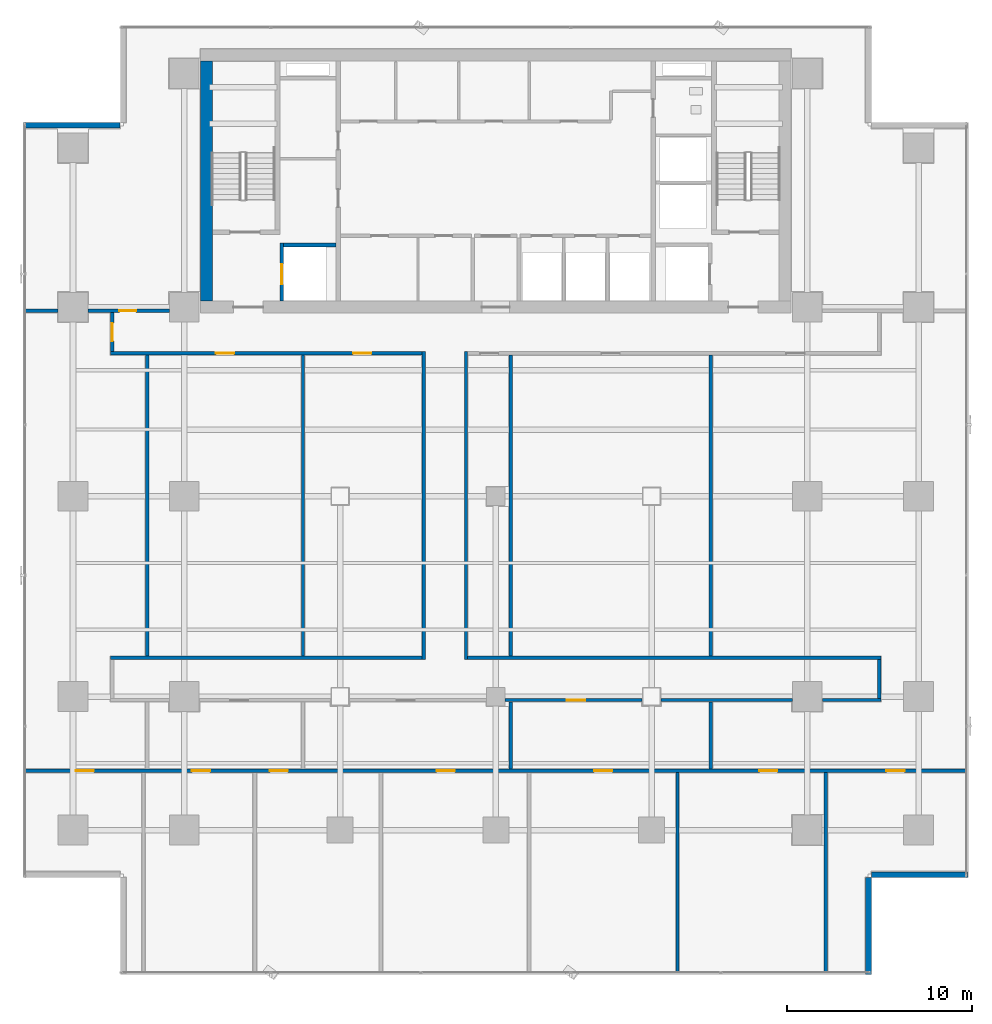
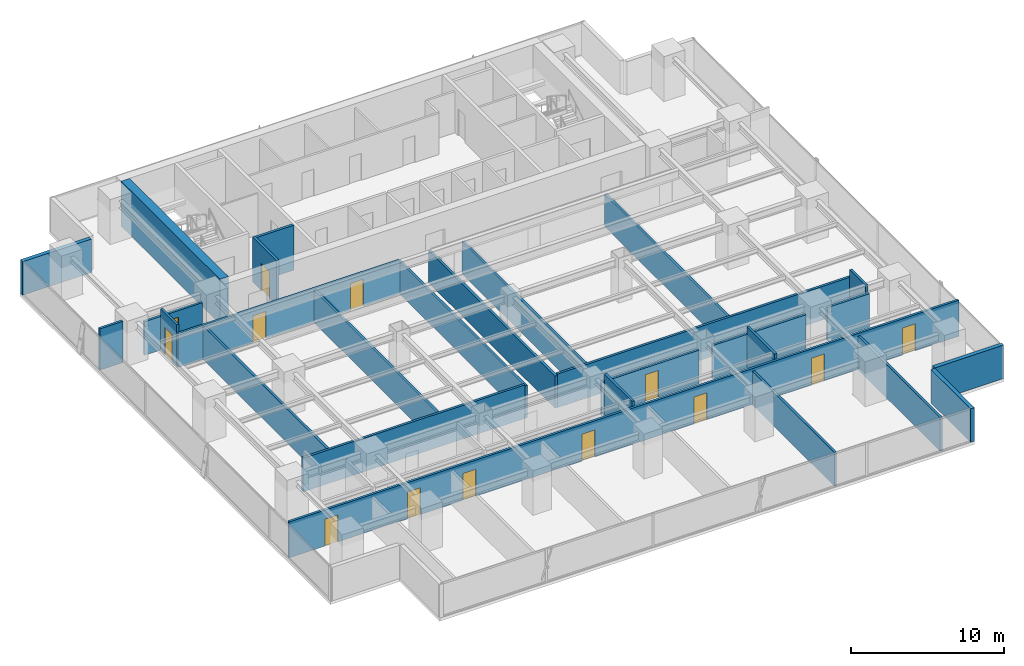
# One storey, part 28 of 36: 27 walls, 13 doors, 13 openings.
"""IFC4 building model written with IfcOpenShell, lengths in metres."""

from ifc_helpers import new_model, si_unit, direction, frame, frame_2d, origin, place, context, subcontext, project, spatial, rectangle, extrude, source, transform, mapped, material, layer, layer_set, type_object, element, fill, save


model = new_model("IFC4")

# Units and contexts
model_context = context("Model", 3, precision=1e-05, world=origin(), true_north=direction((0.0, 1.0)))
body_context = subcontext(model_context, "Body", "Model", "MODEL_VIEW")
ifc_project = project(units=[si_unit("LENGTHUNIT", "METRE"), si_unit("AREAUNIT", "SQUARE_METRE"), si_unit("VOLUMEUNIT", "CUBIC_METRE"), si_unit("PLANEANGLEUNIT", "RADIAN"), si_unit("MASSUNIT", "GRAM", prefix="KILO")], contexts=[model_context])

# Site, building, storey
site_placement = place(None, origin())
site = spatial("IfcSite", under=ifc_project, at=site_placement, CompositionType="ELEMENT")
building_placement = place(site_placement, origin())
building = spatial("IfcBuilding", under=site, at=building_placement, Name="Sumidabori Civic Tower", CompositionType="ELEMENT")
storey_placement = place(building_placement, frame((0.0, 0.0, 120.800048828125)))
storey = spatial("IfcBuildingStorey", under=building, at=storey_placement, Name="L31", CompositionType="ELEMENT", Elevation=120.800048828125)

# Walls
ifc_material_1 = material(Name="Concrete C50/60", Category="concrete")
ifc_layer_1 = layer(ifc_material_1, 0.199951171875, Name="Concrete C50/60")
ifc_layer_set_1 = layer_set([ifc_layer_1], Name="Concrete C50/60")
wall_type_1 = type_object("IfcWallType", Name="WL-SHAFT-200", PredefinedType="SHEAR", material=ifc_layer_set_1)
shared_shape_1 = source(origin(), body_context, "Body", "SweptSolid", [
    extrude(rectangle(XDim=2.824951171875, YDim=0.199951171875, at=frame_2d((1.41259765625, 0.0))), origin(), (0.0, 0.0, 1.0), 3.599853515625),
])
wall_1_placement = place(storey_placement, frame((-11.449951171875, 13.550048828125, 0.0), z_axis=(0.0, 0.0, 1.0), x_axis=(1.0, 0.0, 0.0)))
element("IfcWall", 1, at=wall_1_placement, inside=storey, type_object=wall_type_1, Name="Core Shear Wall L31 EL1-N", PredefinedType="SHEAR", context=body_context, shape_type="MappedRepresentation", body=[
    mapped(shared_shape_1, transform((0.0, 0.0, 0.0), x_axis=(1.0, 0.0, 0.0), y_axis=(0.0, 1.0, 0.0), z_axis=(0.0, 0.0, 1.0), scale=1.0)),
])
ifc_material_2 = material(Name="Concrete C60/75", Category="concrete")
ifc_layer_2 = layer(ifc_material_2, 0.64990234375, Name="Concrete C60/75")
ifc_layer_set_2 = layer_set([ifc_layer_2], Name="Concrete C60/75")
wall_type_2 = type_object("IfcWallType", Name="WL-CORE-650", PredefinedType="SHEAR", material=ifc_layer_set_2)
shared_shape_2 = source(origin(), body_context, "Body", "SweptSolid", [
    extrude(rectangle(XDim=12.9501953125, YDim=0.64990234375, at=frame_2d((6.47509765625, 0.0))), origin(), (0.0, 0.0, 1.0), 3.599853515625),
])
wall_2_placement = place(storey_placement, frame((-15.60009765625, 10.52490234375, 0.0), z_axis=(0.0, 0.0, 1.0), x_axis=(0.0, 1.0, 0.0)))
element("IfcWall", 2, at=wall_2_placement, inside=storey, type_object=wall_type_2, Name="Core Shear Wall L31 W", PredefinedType="SHEAR", context=body_context, shape_type="MappedRepresentation", body=[
    mapped(shared_shape_2, transform((0.0, 0.0, 0.0), x_axis=(1.0, 0.0, 0.0), y_axis=(0.0, 1.0, 0.0), z_axis=(0.0, 0.0, 1.0), scale=1.0)),
])

# Wall, opening, door
shared_shape_3 = source(origin(), body_context, "Body", "SweptSolid", [
    extrude(rectangle(XDim=3.125, YDim=0.199951171875, at=frame_2d((1.5625, 0.0))), origin(), (0.0, 0.0, 1.0), 3.599853515625),
])
wall_3_placement = place(storey_placement, frame((-11.550048828125, 10.52490234375, 0.0), z_axis=(0.0, 0.0, 1.0), x_axis=(0.0, 1.0, 0.0)))
wall_3 = element("IfcWall", 3, at=wall_3_placement, inside=storey, type_object=wall_type_1, Name="Core Shear Wall L31 EL1-W", PredefinedType="SHEAR", context=body_context, shape_type="MappedRepresentation", body=[
    mapped(shared_shape_3, transform((0.0, 0.0, 0.0), x_axis=(1.0, 0.0, 0.0), y_axis=(0.0, 1.0, 0.0), z_axis=(0.0, 0.0, 1.0), scale=1.0)),
])
opening_1_placement = place(wall_3_placement, frame((0.89990234375, 0.0, 0.0)))
opening_1 = element("IfcOpeningElement", 4, at=opening_1_placement, cuts=wall_3, Name="Opening LD-2", PredefinedType="OPENING", context=body_context, shape_type="SweptSolid", body=[
    extrude(rectangle(XDim=1.10009765625, YDim=2.14990234375, at=frame_2d((0.550048828125, 1.074951171875))), frame((0.0, 0.11181640625, 0.0), z_axis=(0.0, -1.0, 0.0), x_axis=(1.0, 0.0, 0.0)), (0.0, 0.0, 1.0), 0.223876953125),
])
ifc_material_3 = material(Name="Stainless Steel Hairline Finish", Category="steel")
door_type_1 = type_object("IfcDoorType", Name="DR-LD2", OperationType="DOUBLE_DOOR_SLIDING", PredefinedType="DOOR", material=ifc_material_3)
shared_shape_4 = source(origin(), body_context, "Body", "SweptSolid", [
    extrude(rectangle(XDim=1.10009765625, YDim=2.14990234375, at=frame_2d((0.550048828125, 1.074951171875))), frame((0.0, 0.02490234375, 0.0), z_axis=(0.0, -1.0, 0.0), x_axis=(1.0, 0.0, 0.0)), (0.0, 0.0, 1.0), 0.050048828125),
])
door_1_placement = place(opening_1_placement, origin())
door_1 = element("IfcDoor", 5, at=door_1_placement, inside=storey, type_object=door_type_1, Name="Door DR:L31:LD-EL1", OperationType="DOUBLE_DOOR_SLIDING", OverallHeight=2.14990234375, OverallWidth=1.10009765625, PredefinedType="DOOR", context=body_context, shape_type="MappedRepresentation", body=[
    mapped(shared_shape_4, transform((0.0, 0.0, 0.0), x_axis=(1.0, 0.0, 0.0), y_axis=(0.0, 1.0, 0.0), z_axis=(0.0, 0.0, 1.0), scale=1.0)),
])
fill(opening_1, door_1)

# Walls
ifc_material_4 = material(Name="Precast concrete C40/50", Category="concrete")
ifc_layer_3 = layer(ifc_material_4, 0.300048828125, Name="Precast concrete C40/50")
ifc_layer_set_3 = layer_set([ifc_layer_3], Name="Precast concrete C40/50")
wall_type_3 = type_object("IfcWallType", Name="WL-EXT-POD300", PredefinedType="STANDARD", material=ifc_layer_set_3)
shared_shape_5 = source(origin(), body_context, "Body", "SweptSolid", [
    extrude(rectangle(XDim=5.2099609375, YDim=0.300048828125, at=frame_2d((2.60498046875, 0.0))), origin(), (0.0, 0.0, 1.0), 2.679931640625),
])
for number, where, z_axis, x_axis, name in (
    (6, (20.10009765625, -25.780029296875, 0.0), (0.0, 0.0, 1.0), (0.0, 1.0, 0.0), "Notched Corner Spandrel Band L31-02"),
    (7, (20.27001953125, -20.39990234375, 0.0), (0.0, 0.0, 1.0), (1.0, 0.0, 0.0), "Notched Corner Spandrel Band L31-03"),
    (8, (-20.27001953125, 20.0, 0.0), (0.0, 0.0, 1.0), (-1.0, 0.0, 0.0), "Notched Corner Spandrel Band L31-09"),
):
    element("IfcWall", number, at=place(storey_placement, frame(where, z_axis=z_axis, x_axis=x_axis)), inside=storey, type_object=wall_type_3, Name=name, PredefinedType="STANDARD", context=body_context, shape_type="MappedRepresentation", body=[
        mapped(shared_shape_5, transform((0.0, 0.0, 0.0), x_axis=(1.0, 0.0, 0.0), y_axis=(0.0, 1.0, 0.0), z_axis=(0.0, 0.0, 1.0), scale=1.0)),
    ])
ifc_material_5 = material(Name="Gypsum Plasterboard Acoustic Partition")
ifc_layer_4 = layer(ifc_material_5, 0.179931640625, Name="Gypsum Plasterboard Acoustic Partition")
ifc_layer_set_4 = layer_set([ifc_layer_4], Name="Gypsum Plasterboard Acoustic Partition")
wall_type_4 = type_object("IfcWallType", Name="WL-PART-180", PredefinedType="PARTITIONING", material=ifc_layer_set_4)
shared_shape_6 = source(origin(), body_context, "Body", "SweptSolid", [
    extrude(rectangle(XDim=1.739990234375, YDim=0.179931640625, at=frame_2d((0.8701171875, 0.0))), origin(), (0.0, 0.0, 1.0), 3.300048828125),
])
wall_4_placement = place(storey_placement, frame((-25.35009765625, 10.0, 0.0), z_axis=(0.0, 0.0, 1.0), x_axis=(1.0, 0.0, 0.0)))
element("IfcWall", 9, at=wall_4_placement, inside=storey, type_object=wall_type_4, Name="Interior Partition WL:L31:FLK-NW-1", PredefinedType="PARTITIONING", context=body_context, shape_type="MappedRepresentation", body=[
    mapped(shared_shape_6, transform((0.0, 0.0, 0.0), x_axis=(1.0, 0.0, 0.0), y_axis=(0.0, 1.0, 0.0), z_axis=(0.0, 0.0, 1.0), scale=1.0)),
])

# Wall, opening, door
shared_shape_7 = source(origin(), body_context, "Body", "SweptSolid", [
    extrude(rectangle(XDim=4.3798828125, YDim=0.179931640625, at=frame_2d((2.18994140625, 0.0))), origin(), (0.0, 0.0, 1.0), 2.68505859375),
])
wall_5_placement = place(storey_placement, frame((-21.989990234375, 10.0, 0.0), z_axis=(0.0, 0.0, 1.0), x_axis=(1.0, 0.0, 0.0)))
wall_5 = element("IfcWall", 10, at=wall_5_placement, inside=storey, type_object=wall_type_4, Name="Interior Partition WL:L31:FLK-NW-2", PredefinedType="PARTITIONING", context=body_context, shape_type="MappedRepresentation", body=[
    mapped(shared_shape_7, transform((0.0, 0.0, 0.0), x_axis=(1.0, 0.0, 0.0), y_axis=(0.0, 1.0, 0.0), z_axis=(0.0, 0.0, 1.0), scale=1.0)),
])
opening_2_placement = place(wall_5_placement, frame((1.695068359375, 0.0, 0.0)))
opening_2 = element("IfcOpeningElement", 11, at=opening_2_placement, cuts=wall_5, Name="Opening DR-1", PredefinedType="OPENING", context=body_context, shape_type="SweptSolid", body=[
    extrude(rectangle(XDim=0.89990234375, YDim=2.14990234375, at=frame_2d((0.449951171875, 1.074951171875))), frame((0.0, 0.10205078125, 0.0), z_axis=(0.0, -1.0, 0.0), x_axis=(1.0, 0.0, 0.0)), (0.0, 0.0, 1.0), 0.203857421875),
])
ifc_material_6 = material(Name="Japanese Hinoki Timber", Category="wood")
door_type_2 = type_object("IfcDoorType", Name="DR-INT-900", OperationType="NOTDEFINED", PredefinedType="DOOR", material=ifc_material_6)
shared_shape_8 = source(origin(), body_context, "Body", "SweptSolid", [
    extrude(rectangle(XDim=0.89990234375, YDim=2.14990234375, at=frame_2d((0.449951171875, 1.074951171875))), frame((0.0, 0.02490234375, 0.0), z_axis=(0.0, -1.0, 0.0), x_axis=(1.0, 0.0, 0.0)), (0.0, 0.0, 1.0), 0.050048828125),
])
door_2_placement = place(opening_2_placement, origin())
door_2 = element("IfcDoor", 12, at=door_2_placement, inside=storey, type_object=door_type_2, Name="Door DR:L31:FLK-NW", OperationType="SINGLE_SWING_LEFT", OverallHeight=2.14990234375, OverallWidth=0.89990234375, PredefinedType="DOOR", context=body_context, shape_type="MappedRepresentation", body=[
    mapped(shared_shape_8, transform((0.0, 0.0, 0.0), x_axis=(1.0, 0.0, 0.0), y_axis=(0.0, 1.0, 0.0), z_axis=(0.0, 0.0, 1.0), scale=1.0)),
])
fill(opening_2, door_2)

# Wall, openings, doors
shared_shape_9 = source(origin(), body_context, "Body", "SweptSolid", [
    extrude(rectangle(XDim=16.800048828125, YDim=0.179931640625, at=frame_2d((8.39990234375, 0.0))), origin(), (0.0, 0.0, 1.0), 2.68505859375),
])
wall_6_placement = place(storey_placement, frame((-20.780029296875, 7.7099609375, 0.0), z_axis=(0.0, 0.0, 1.0), x_axis=(1.0, 0.0, 0.0)))
wall_6 = element("IfcWall", 13, at=wall_6_placement, inside=storey, type_object=wall_type_4, Name="Interior Partition WL:L31:CORR-SW", PredefinedType="PARTITIONING", context=body_context, shape_type="MappedRepresentation", body=[
    mapped(shared_shape_9, transform((0.0, 0.0, 0.0), x_axis=(1.0, 0.0, 0.0), y_axis=(0.0, 1.0, 0.0), z_axis=(0.0, 0.0, 1.0), scale=1.0)),
])
opening_3_placement = place(wall_6_placement, frame((5.68994140625, 0.0, 0.0)))
opening_3 = element("IfcOpeningElement", 14, at=opening_3_placement, cuts=wall_6, Name="Opening DR-3", PredefinedType="OPENING", context=body_context, shape_type="SweptSolid", body=[
    extrude(rectangle(XDim=0.97998046875, YDim=2.14990234375, at=frame_2d((0.489990234375, 1.074951171875))), frame((0.0, 0.10205078125, 0.0), z_axis=(0.0, -1.0, 0.0), x_axis=(1.0, 0.0, 0.0)), (0.0, 0.0, 1.0), 0.203857421875),
])
opening_4_placement = place(wall_6_placement, frame((13.0849609375, 0.0, 0.0)))
opening_4 = element("IfcOpeningElement", 15, at=opening_4_placement, cuts=wall_6, Name="Opening DR-3", PredefinedType="OPENING", context=body_context, shape_type="SweptSolid", body=[
    extrude(rectangle(XDim=0.97998046875, YDim=2.14990234375, at=frame_2d((0.489990234375, 1.074951171875))), frame((0.0, 0.10205078125, 0.0), z_axis=(0.0, -1.0, 0.0), x_axis=(1.0, 0.0, 0.0)), (0.0, 0.0, 1.0), 0.203857421875),
])
door_type_3 = type_object("IfcDoorType", Name="DR-INT-980", OperationType="NOTDEFINED", PredefinedType="DOOR", material=ifc_material_6)
shared_shape_10 = source(origin(), body_context, "Body", "SweptSolid", [
    extrude(rectangle(XDim=0.97998046875, YDim=2.14990234375, at=frame_2d((0.489990234375, 1.074951171875))), frame((0.0, 0.02490234375, 0.0), z_axis=(0.0, -1.0, 0.0), x_axis=(1.0, 0.0, 0.0)), (0.0, 0.0, 1.0), 0.050048828125),
])
door_3_placement = place(opening_3_placement, origin())
door_3 = element("IfcDoor", 16, at=door_3_placement, inside=storey, type_object=door_type_3, Name="Door DR:L31:D02", OperationType="SINGLE_SWING_RIGHT", OverallHeight=2.14990234375, OverallWidth=0.97998046875, PredefinedType="DOOR", context=body_context, shape_type="MappedRepresentation", body=[
    mapped(shared_shape_10, transform((0.0, 0.0, 0.0), x_axis=(1.0, 0.0, 0.0), y_axis=(0.0, 1.0, 0.0), z_axis=(0.0, 0.0, 1.0), scale=1.0)),
])
fill(opening_3, door_3)
door_4_placement = place(opening_4_placement, origin())
door_4 = element("IfcDoor", 17, at=door_4_placement, inside=storey, type_object=door_type_3, Name="Door DR:L31:D03", OperationType="SINGLE_SWING_LEFT", OverallHeight=2.14990234375, OverallWidth=0.97998046875, PredefinedType="DOOR", context=body_context, shape_type="MappedRepresentation", body=[
    mapped(shared_shape_10, transform((0.0, 0.0, 0.0), x_axis=(1.0, 0.0, 0.0), y_axis=(0.0, 1.0, 0.0), z_axis=(0.0, 0.0, 1.0), scale=1.0)),
])
fill(opening_4, door_4)

# Walls
wall_7_placement = place(storey_placement, frame((-20.780029296875, -8.7099609375, 0.0), z_axis=(0.0, 0.0, 1.0), x_axis=(1.0, 0.0, 0.0)))
element("IfcWall", 18, at=wall_7_placement, inside=storey, type_object=wall_type_4, Name="Interior Partition WL:L31:CORR-MNW", PredefinedType="PARTITIONING", context=body_context, shape_type="MappedRepresentation", body=[
    mapped(shared_shape_9, transform((0.0, 0.0, 0.0), x_axis=(1.0, 0.0, 0.0), y_axis=(0.0, 1.0, 0.0), z_axis=(0.0, 0.0, 1.0), scale=1.0)),
])
shared_shape_11 = source(origin(), body_context, "Body", "SweptSolid", [
    extrude(rectangle(XDim=22.300048828125, YDim=0.179931640625, at=frame_2d((11.14990234375, 0.0))), origin(), (0.0, 0.0, 1.0), 2.68505859375),
])
wall_8_placement = place(storey_placement, frame((-1.52001953125, -8.7099609375, 0.0), z_axis=(0.0, 0.0, 1.0), x_axis=(1.0, 0.0, 0.0)))
element("IfcWall", 19, at=wall_8_placement, inside=storey, type_object=wall_type_4, Name="Interior Partition WL:L31:CORR-MNE", PredefinedType="PARTITIONING", context=body_context, shape_type="MappedRepresentation", body=[
    mapped(shared_shape_11, transform((0.0, 0.0, 0.0), x_axis=(1.0, 0.0, 0.0), y_axis=(0.0, 1.0, 0.0), z_axis=(0.0, 0.0, 1.0), scale=1.0)),
])
shared_shape_12 = source(origin(), body_context, "Body", "SweptSolid", [
    extrude(rectangle(XDim=3.169921875, YDim=0.179931640625, at=frame_2d((1.5849609375, 0.0))), origin(), (0.0, 0.0, 1.0), 2.68505859375),
])
wall_9_placement = place(storey_placement, frame((17.610107421875, -10.989990234375, 0.0), z_axis=(0.0, 0.0, 1.0), x_axis=(1.0, 0.0, 0.0)))
element("IfcWall", 20, at=wall_9_placement, inside=storey, type_object=wall_type_4, Name="Interior Partition WL:L31:CORR-SS-6", PredefinedType="PARTITIONING", context=body_context, shape_type="MappedRepresentation", body=[
    mapped(shared_shape_12, transform((0.0, 0.0, 0.0), x_axis=(1.0, 0.0, 0.0), y_axis=(0.0, 1.0, 0.0), z_axis=(0.0, 0.0, 1.0), scale=1.0)),
])
shared_shape_13 = source(origin(), body_context, "Body", "SweptSolid", [
    extrude(rectangle(XDim=7.080078125, YDim=0.179931640625, at=frame_2d((3.5400390625, 0.0))), origin(), (0.0, 0.0, 1.0), 2.68505859375),
])
wall_10_placement = place(storey_placement, frame((8.909912109375, -10.989990234375, 0.0), z_axis=(0.0, 0.0, 1.0), x_axis=(1.0, 0.0, 0.0)))
element("IfcWall", 21, at=wall_10_placement, inside=storey, type_object=wall_type_4, Name="Interior Partition WL:L31:CORR-SS-5", PredefinedType="PARTITIONING", context=body_context, shape_type="MappedRepresentation", body=[
    mapped(shared_shape_13, transform((0.0, 0.0, 0.0), x_axis=(1.0, 0.0, 0.0), y_axis=(0.0, 1.0, 0.0), z_axis=(0.0, 0.0, 1.0), scale=1.0)),
])

# Wall, opening, door
shared_shape_14 = source(origin(), body_context, "Body", "SweptSolid", [
    extrude(rectangle(XDim=7.3798828125, YDim=0.179931640625, at=frame_2d((3.68994140625, 0.0))), origin(), (0.0, 0.0, 1.0), 2.68505859375),
])
wall_11_placement = place(storey_placement, frame((0.510009765625, -10.989990234375, 0.0), z_axis=(0.0, 0.0, 1.0), x_axis=(1.0, 0.0, 0.0)))
wall_11 = element("IfcWall", 22, at=wall_11_placement, inside=storey, type_object=wall_type_4, Name="Interior Partition WL:L31:CORR-SS-4", PredefinedType="PARTITIONING", context=body_context, shape_type="MappedRepresentation", body=[
    mapped(shared_shape_14, transform((0.0, 0.0, 0.0), x_axis=(1.0, 0.0, 0.0), y_axis=(0.0, 1.0, 0.0), z_axis=(0.0, 0.0, 1.0), scale=1.0)),
])
opening_5_placement = place(wall_11_placement, frame((3.330078125, 0.0, 0.0)))
opening_5 = element("IfcOpeningElement", 23, at=opening_5_placement, cuts=wall_11, Name="Opening DR-3", PredefinedType="OPENING", context=body_context, shape_type="SweptSolid", body=[
    extrude(rectangle(XDim=0.97998046875, YDim=2.14990234375, at=frame_2d((0.489990234375, 1.074951171875))), frame((0.0, 0.10205078125, 0.0), z_axis=(0.0, -1.0, 0.0), x_axis=(1.0, 0.0, 0.0)), (0.0, 0.0, 1.0), 0.203857421875),
])
door_5_placement = place(opening_5_placement, origin())
door_5 = element("IfcDoor", 24, at=door_5_placement, inside=storey, type_object=door_type_3, Name="Door DR:L31:D10", OperationType="SINGLE_SWING_RIGHT", OverallHeight=2.14990234375, OverallWidth=0.97998046875, PredefinedType="DOOR", context=body_context, shape_type="MappedRepresentation", body=[
    mapped(shared_shape_10, transform((0.0, 0.0, 0.0), x_axis=(1.0, 0.0, 0.0), y_axis=(0.0, 1.0, 0.0), z_axis=(0.0, 0.0, 1.0), scale=1.0)),
])
fill(opening_5, door_5)

shared_shape_15 = source(origin(), body_context, "Body", "SweptSolid", [
    extrude(rectangle(XDim=2.10009765625, YDim=0.179931640625, at=frame_2d((1.050048828125, 0.0))), origin(), (0.0, 0.0, 1.0), 3.300048828125),
])
wall_12_placement = place(storey_placement, frame((-20.68994140625, 7.804931640625, 0.0), z_axis=(0.0, 0.0, 1.0), x_axis=(0.0, 1.0, 0.0)))
wall_12 = element("IfcWall", 25, at=wall_12_placement, inside=storey, type_object=wall_type_4, Name="Interior Partition WL:L31:CORR-VNW", PredefinedType="PARTITIONING", context=body_context, shape_type="MappedRepresentation", body=[
    mapped(shared_shape_15, transform((0.0, 0.0, 0.0), x_axis=(1.0, 0.0, 0.0), y_axis=(0.0, 1.0, 0.0), z_axis=(0.0, 0.0, 1.0), scale=1.0)),
])
opening_6_placement = place(wall_12_placement, frame((0.56005859375, 0.0, 0.0)))
opening_6 = element("IfcOpeningElement", 26, at=opening_6_placement, cuts=wall_12, Name="Opening DR-3", PredefinedType="OPENING", context=body_context, shape_type="SweptSolid", body=[
    extrude(rectangle(XDim=0.97998046875, YDim=2.14990234375, at=frame_2d((0.489990234375, 1.074951171875))), frame((0.0, 0.10205078125, 0.0), z_axis=(0.0, -1.0, 0.0), x_axis=(1.0, 0.0, 0.0)), (0.0, 0.0, 1.0), 0.203857421875),
])
door_6_placement = place(opening_6_placement, origin())
door_6 = element("IfcDoor", 27, at=door_6_placement, inside=storey, type_object=door_type_3, Name="Door DR:L31:D06", OperationType="SINGLE_SWING_RIGHT", OverallHeight=2.14990234375, OverallWidth=0.97998046875, PredefinedType="DOOR", context=body_context, shape_type="MappedRepresentation", body=[
    mapped(shared_shape_10, transform((0.0, 0.0, 0.0), x_axis=(1.0, 0.0, 0.0), y_axis=(0.0, 1.0, 0.0), z_axis=(0.0, 0.0, 1.0), scale=1.0)),
])
fill(opening_6, door_6)

# Walls
shared_shape_16 = source(origin(), body_context, "Body", "SweptSolid", [
    extrude(rectangle(XDim=16.60009765625, YDim=0.179931640625, at=frame_2d((8.300048828125, 0.0))), origin(), (0.0, 0.0, 1.0), 2.5849609375),
])
for number, where, z_axis, x_axis, name in (
    (28, (-3.889892578125, -8.800048828125, 0.0), (0.0, 0.0, 1.0), (0.0, 1.0, 0.0), "Interior Partition WL:L31:CORR-VSP-W"),
    (29, (-1.610107421875, -8.800048828125, 0.0), (0.0, 0.0, 1.0), (0.0, 1.0, 0.0), "Interior Partition WL:L31:CORR-VSP-E"),
):
    element("IfcWall", number, at=place(storey_placement, frame(where, z_axis=z_axis, x_axis=x_axis)), inside=storey, type_object=wall_type_4, Name=name, PredefinedType="PARTITIONING", context=body_context, shape_type="MappedRepresentation", body=[
        mapped(shared_shape_16, transform((0.0, 0.0, 0.0), x_axis=(1.0, 0.0, 0.0), y_axis=(0.0, 1.0, 0.0), z_axis=(0.0, 0.0, 1.0), scale=1.0)),
    ])
shared_shape_17 = source(origin(), body_context, "Body", "SweptSolid", [
    extrude(rectangle(XDim=2.090087890625, YDim=0.179931640625, at=frame_2d((1.044921875, 0.0))), origin(), (0.0, 0.0, 1.0), 3.300048828125),
])
wall_13_placement = place(storey_placement, frame((20.68994140625, -10.89501953125, 0.0), z_axis=(0.0, 0.0, 1.0), x_axis=(0.0, 1.0, 0.0)))
element("IfcWall", 30, at=wall_13_placement, inside=storey, type_object=wall_type_4, Name="Interior Partition WL:L31:CORR-VSE", PredefinedType="PARTITIONING", context=body_context, shape_type="MappedRepresentation", body=[
    mapped(shared_shape_17, transform((0.0, 0.0, 0.0), x_axis=(1.0, 0.0, 0.0), y_axis=(0.0, 1.0, 0.0), z_axis=(0.0, 0.0, 1.0), scale=1.0)),
])

# Wall, openings, doors
shared_shape_18 = source(origin(), body_context, "Body", "SweptSolid", [
    extrude(rectangle(XDim=50.7001953125, YDim=0.179931640625, at=frame_2d((25.35009765625, 0.0))), origin(), (0.0, 0.0, 1.0), 2.885009765625),
])
wall_14_placement = place(storey_placement, frame((-25.35009765625, -14.800048828125, 0.0), z_axis=(0.0, 0.0, 1.0), x_axis=(1.0, 0.0, 0.0)))
wall_14 = element("IfcWall", 31, at=wall_14_placement, inside=storey, type_object=wall_type_4, Name="Interior Partition WL:L31:BAND-Y", PredefinedType="PARTITIONING", context=body_context, shape_type="MappedRepresentation", body=[
    mapped(shared_shape_18, transform((0.0, 0.0, 0.0), x_axis=(1.0, 0.0, 0.0), y_axis=(0.0, 1.0, 0.0), z_axis=(0.0, 0.0, 1.0), scale=1.0)),
])
opening_7_placement = place(wall_14_placement, frame((2.699951171875, 0.0, 0.0)))
opening_7 = element("IfcOpeningElement", 32, at=opening_7_placement, cuts=wall_14, Name="Opening DR-3", PredefinedType="OPENING", context=body_context, shape_type="SweptSolid", body=[
    extrude(rectangle(XDim=0.97998046875, YDim=2.14990234375, at=frame_2d((0.489990234375, 1.074951171875))), frame((0.0, 0.10205078125, 0.0), z_axis=(0.0, -1.0, 0.0), x_axis=(1.0, 0.0, 0.0)), (0.0, 0.0, 1.0), 0.203857421875),
])
opening_8_placement = place(wall_14_placement, frame((46.419921875, 0.0, 0.0)))
opening_8 = element("IfcOpeningElement", 33, at=opening_8_placement, cuts=wall_14, Name="Opening DR-3", PredefinedType="OPENING", context=body_context, shape_type="SweptSolid", body=[
    extrude(rectangle(XDim=0.97998046875, YDim=2.14990234375, at=frame_2d((0.489990234375, 1.074951171875))), frame((0.0, 0.10205078125, 0.0), z_axis=(0.0, -1.0, 0.0), x_axis=(1.0, 0.0, 0.0)), (0.0, 0.0, 1.0), 0.203857421875),
])
opening_9_placement = place(wall_14_placement, frame((13.159912109375, 0.0, 0.0)))
opening_9 = element("IfcOpeningElement", 34, at=opening_9_placement, cuts=wall_14, Name="Opening DR-3", PredefinedType="OPENING", context=body_context, shape_type="SweptSolid", body=[
    extrude(rectangle(XDim=0.97998046875, YDim=2.14990234375, at=frame_2d((0.489990234375, 1.074951171875))), frame((0.0, 0.10205078125, 0.0), z_axis=(0.0, -1.0, 0.0), x_axis=(1.0, 0.0, 0.0)), (0.0, 0.0, 1.0), 0.203857421875),
])
opening_10_placement = place(wall_14_placement, frame((22.159912109375, 0.0, 0.0)))
opening_10 = element("IfcOpeningElement", 35, at=opening_10_placement, cuts=wall_14, Name="Opening DR-3", PredefinedType="OPENING", context=body_context, shape_type="SweptSolid", body=[
    extrude(rectangle(XDim=0.97998046875, YDim=2.14990234375, at=frame_2d((0.489990234375, 1.074951171875))), frame((0.0, 0.10205078125, 0.0), z_axis=(0.0, -1.0, 0.0), x_axis=(1.0, 0.0, 0.0)), (0.0, 0.0, 1.0), 0.203857421875),
])
opening_11_placement = place(wall_14_placement, frame((30.659912109375, 0.0, 0.0)))
opening_11 = element("IfcOpeningElement", 36, at=opening_11_placement, cuts=wall_14, Name="Opening DR-3", PredefinedType="OPENING", context=body_context, shape_type="SweptSolid", body=[
    extrude(rectangle(XDim=0.97998046875, YDim=2.14990234375, at=frame_2d((0.489990234375, 1.074951171875))), frame((0.0, 0.10205078125, 0.0), z_axis=(0.0, -1.0, 0.0), x_axis=(1.0, 0.0, 0.0)), (0.0, 0.0, 1.0), 0.203857421875),
])
opening_12_placement = place(wall_14_placement, frame((8.9599609375, 0.0, 0.0)))
opening_12 = element("IfcOpeningElement", 37, at=opening_12_placement, cuts=wall_14, Name="Opening DR-3", PredefinedType="OPENING", context=body_context, shape_type="SweptSolid", body=[
    extrude(rectangle(XDim=0.97998046875, YDim=2.14990234375, at=frame_2d((0.489990234375, 1.074951171875))), frame((0.0, 0.10205078125, 0.0), z_axis=(0.0, -1.0, 0.0), x_axis=(1.0, 0.0, 0.0)), (0.0, 0.0, 1.0), 0.203857421875),
])
opening_13_placement = place(wall_14_placement, frame((39.56005859375, 0.0, 0.0)))
opening_13 = element("IfcOpeningElement", 38, at=opening_13_placement, cuts=wall_14, Name="Opening DR-3", PredefinedType="OPENING", context=body_context, shape_type="SweptSolid", body=[
    extrude(rectangle(XDim=0.97998046875, YDim=2.14990234375, at=frame_2d((0.489990234375, 1.074951171875))), frame((0.0, 0.10205078125, 0.0), z_axis=(0.0, -1.0, 0.0), x_axis=(1.0, 0.0, 0.0)), (0.0, 0.0, 1.0), 0.203857421875),
])
door_7_placement = place(opening_7_placement, origin())
door_7 = element("IfcDoor", 39, at=door_7_placement, inside=storey, type_object=door_type_3, Name="Door DR:L31:D11", OperationType="SINGLE_SWING_LEFT", OverallHeight=2.14990234375, OverallWidth=0.97998046875, PredefinedType="DOOR", context=body_context, shape_type="MappedRepresentation", body=[
    mapped(shared_shape_10, transform((0.0, 0.0, 0.0), x_axis=(1.0, 0.0, 0.0), y_axis=(0.0, 1.0, 0.0), z_axis=(0.0, 0.0, 1.0), scale=1.0)),
])
fill(opening_7, door_7)
door_8_placement = place(opening_8_placement, origin())
door_8 = element("IfcDoor", 40, at=door_8_placement, inside=storey, type_object=door_type_3, Name="Door DR:L31:D12", OperationType="SINGLE_SWING_RIGHT", OverallHeight=2.14990234375, OverallWidth=0.97998046875, PredefinedType="DOOR", context=body_context, shape_type="MappedRepresentation", body=[
    mapped(shared_shape_10, transform((0.0, 0.0, 0.0), x_axis=(1.0, 0.0, 0.0), y_axis=(0.0, 1.0, 0.0), z_axis=(0.0, 0.0, 1.0), scale=1.0)),
])
fill(opening_8, door_8)
door_9_placement = place(opening_9_placement, origin())
door_9 = element("IfcDoor", 41, at=door_9_placement, inside=storey, type_object=door_type_3, Name="Door DR:L31:D13", OperationType="SINGLE_SWING_LEFT", OverallHeight=2.14990234375, OverallWidth=0.97998046875, PredefinedType="DOOR", context=body_context, shape_type="MappedRepresentation", body=[
    mapped(shared_shape_10, transform((0.0, 0.0, 0.0), x_axis=(1.0, 0.0, 0.0), y_axis=(0.0, 1.0, 0.0), z_axis=(0.0, 0.0, 1.0), scale=1.0)),
])
fill(opening_9, door_9)
door_10_placement = place(opening_10_placement, origin())
door_10 = element("IfcDoor", 42, at=door_10_placement, inside=storey, type_object=door_type_3, Name="Door DR:L31:D14", OperationType="SINGLE_SWING_RIGHT", OverallHeight=2.14990234375, OverallWidth=0.97998046875, PredefinedType="DOOR", context=body_context, shape_type="MappedRepresentation", body=[
    mapped(shared_shape_10, transform((0.0, 0.0, 0.0), x_axis=(1.0, 0.0, 0.0), y_axis=(0.0, 1.0, 0.0), z_axis=(0.0, 0.0, 1.0), scale=1.0)),
])
fill(opening_10, door_10)
door_11_placement = place(opening_11_placement, origin())
door_11 = element("IfcDoor", 43, at=door_11_placement, inside=storey, type_object=door_type_3, Name="Door DR:L31:D15", OperationType="SINGLE_SWING_LEFT", OverallHeight=2.14990234375, OverallWidth=0.97998046875, PredefinedType="DOOR", context=body_context, shape_type="MappedRepresentation", body=[
    mapped(shared_shape_10, transform((0.0, 0.0, 0.0), x_axis=(1.0, 0.0, 0.0), y_axis=(0.0, 1.0, 0.0), z_axis=(0.0, 0.0, 1.0), scale=1.0)),
])
fill(opening_11, door_11)
door_12_placement = place(opening_12_placement, origin())
door_12 = element("IfcDoor", 44, at=door_12_placement, inside=storey, type_object=door_type_3, Name="Door DR:L31:D16", OperationType="SINGLE_SWING_RIGHT", OverallHeight=2.14990234375, OverallWidth=0.97998046875, PredefinedType="DOOR", context=body_context, shape_type="MappedRepresentation", body=[
    mapped(shared_shape_10, transform((0.0, 0.0, 0.0), x_axis=(1.0, 0.0, 0.0), y_axis=(0.0, 1.0, 0.0), z_axis=(0.0, 0.0, 1.0), scale=1.0)),
])
fill(opening_12, door_12)
door_13_placement = place(opening_13_placement, origin())
door_13 = element("IfcDoor", 45, at=door_13_placement, inside=storey, type_object=door_type_3, Name="Door DR:L31:D17", OperationType="SINGLE_SWING_LEFT", OverallHeight=2.14990234375, OverallWidth=0.97998046875, PredefinedType="DOOR", context=body_context, shape_type="MappedRepresentation", body=[
    mapped(shared_shape_10, transform((0.0, 0.0, 0.0), x_axis=(1.0, 0.0, 0.0), y_axis=(0.0, 1.0, 0.0), z_axis=(0.0, 0.0, 1.0), scale=1.0)),
])
fill(opening_13, door_13)

# Walls
shared_shape_19 = source(origin(), body_context, "Body", "SweptSolid", [
    extrude(rectangle(XDim=3.6201171875, YDim=0.179931640625, at=frame_2d((1.81005859375, 0.0))), origin(), (0.0, 0.0, 1.0), 3.300048828125),
])
for number, where, z_axis, x_axis, name in (
    (46, (0.800048828125, -14.705078125, 0.0), (0.0, 0.0, 1.0), (0.0, 1.0, 0.0), "Interior Partition WL:L31:VX-N3-1"),
    (47, (11.60009765625, -14.705078125, 0.0), (0.0, 0.0, 1.0), (0.0, 1.0, 0.0), "Interior Partition WL:L31:VX-N4-1"),
):
    element("IfcWall", number, at=place(storey_placement, frame(where, z_axis=z_axis, x_axis=x_axis)), inside=storey, type_object=wall_type_4, Name=name, PredefinedType="PARTITIONING", context=body_context, shape_type="MappedRepresentation", body=[
        mapped(shared_shape_19, transform((0.0, 0.0, 0.0), x_axis=(1.0, 0.0, 0.0), y_axis=(0.0, 1.0, 0.0), z_axis=(0.0, 0.0, 1.0), scale=1.0)),
    ])
shared_shape_20 = source(origin(), body_context, "Body", "SweptSolid", [
    extrude(rectangle(XDim=16.22998046875, YDim=0.179931640625, at=frame_2d((8.114990234375, 0.0))), origin(), (0.0, 0.0, 1.0), 2.68505859375),
])
wall_15_placement = place(storey_placement, frame((-18.800048828125, -8.614990234375, 0.0), z_axis=(0.0, 0.0, 1.0), x_axis=(0.0, 1.0, 0.0)))
element("IfcWall", 48, at=wall_15_placement, inside=storey, type_object=wall_type_4, Name="Interior Partition WL:L31:VX-N1-2", PredefinedType="PARTITIONING", context=body_context, shape_type="MappedRepresentation", body=[
    mapped(shared_shape_20, transform((0.0, 0.0, 0.0), x_axis=(1.0, 0.0, 0.0), y_axis=(0.0, 1.0, 0.0), z_axis=(0.0, 0.0, 1.0), scale=1.0)),
])
shared_shape_21 = source(origin(), body_context, "Body", "SweptSolid", [
    extrude(rectangle(XDim=16.22998046875, YDim=0.179931640625, at=frame_2d((8.114990234375, 0.0))), origin(), (0.0, 0.0, 1.0), 2.5849609375),
])
for number, where, z_axis, x_axis, name in (
    (49, (-10.39990234375, -8.614990234375, 0.0), (0.0, 0.0, 1.0), (0.0, 1.0, 0.0), "Interior Partition WL:L31:VX-N2-2"),
    (50, (0.800048828125, -8.614990234375, 0.0), (0.0, 0.0, 1.0), (0.0, 1.0, 0.0), "Interior Partition WL:L31:VX-N3-2"),
    (51, (11.60009765625, -8.614990234375, 0.0), (0.0, 0.0, 1.0), (0.0, 1.0, 0.0), "Interior Partition WL:L31:VX-N4-2"),
):
    element("IfcWall", number, at=place(storey_placement, frame(where, z_axis=z_axis, x_axis=x_axis)), inside=storey, type_object=wall_type_4, Name=name, PredefinedType="PARTITIONING", context=body_context, shape_type="MappedRepresentation", body=[
        mapped(shared_shape_21, transform((0.0, 0.0, 0.0), x_axis=(1.0, 0.0, 0.0), y_axis=(0.0, 1.0, 0.0), z_axis=(0.0, 0.0, 1.0), scale=1.0)),
    ])
shared_shape_22 = source(origin(), body_context, "Body", "SweptSolid", [
    extrude(rectangle(XDim=10.7548828125, YDim=0.179931640625, at=frame_2d((5.37744140625, 0.0))), origin(), (0.0, 0.0, 1.0), 2.68505859375),
])
for number, where, z_axis, x_axis, name in (
    (52, (9.800048828125, -25.64990234375, 0.0), (0.0, 0.0, 1.0), (0.0, 1.0, 0.0), "Interior Partition WL:L31:VX-S5"),
    (53, (17.800048828125, -25.64990234375, 0.0), (0.0, 0.0, 1.0), (0.0, 1.0, 0.0), "Interior Partition WL:L31:VX-S6"),
):
    element("IfcWall", number, at=place(storey_placement, frame(where, z_axis=z_axis, x_axis=x_axis)), inside=storey, type_object=wall_type_4, Name=name, PredefinedType="PARTITIONING", context=body_context, shape_type="MappedRepresentation", body=[
        mapped(shared_shape_22, transform((0.0, 0.0, 0.0), x_axis=(1.0, 0.0, 0.0), y_axis=(0.0, 1.0, 0.0), z_axis=(0.0, 0.0, 1.0), scale=1.0)),
    ])

save(model, "model.ifc")
